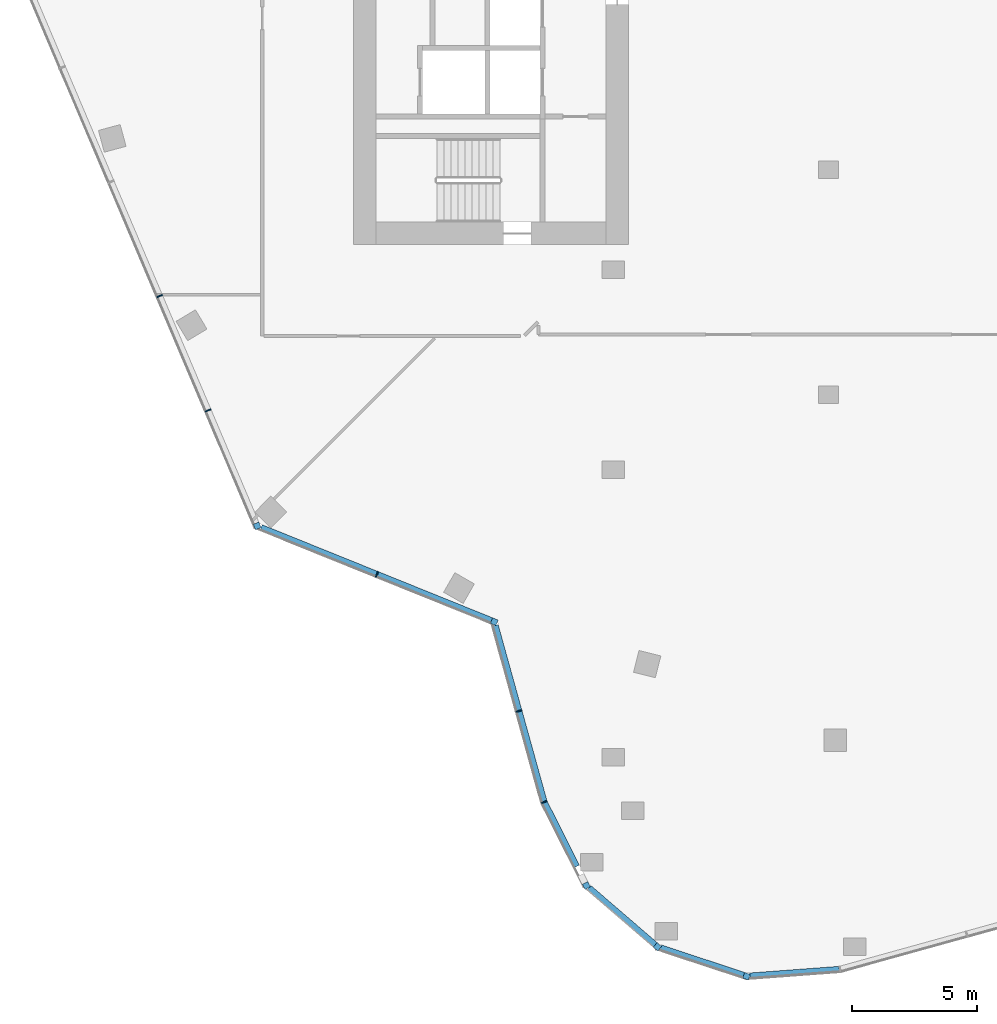
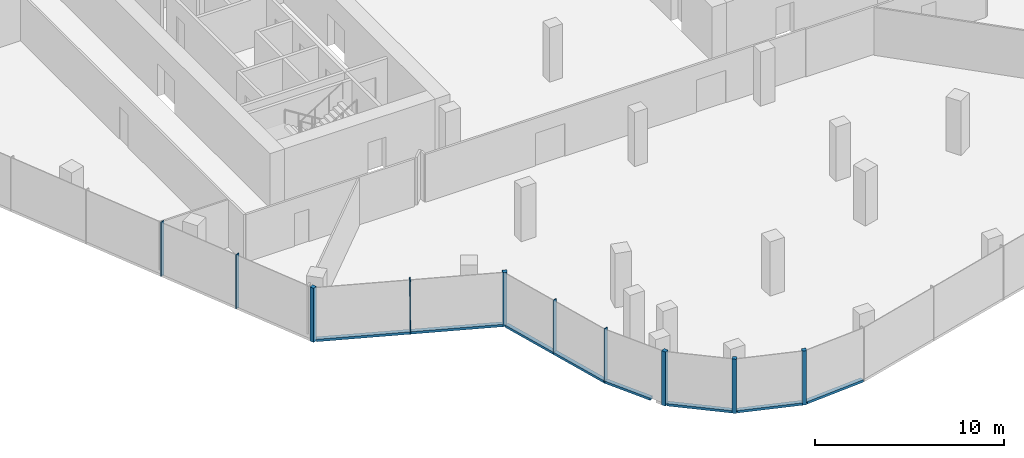
# One storey, part 2 of 15: 16 members, 7 elements without a shape of their own.
"""IFC4 building model written with IfcOpenShell, lengths in metres."""

from ifc_helpers import new_model, si_unit, direction, frame, origin, origin_2d, place, context, subcontext, project, spatial, rectangle, extrude, material, material_profile, profile_set, type_object, element, aggregate, save


model = new_model("IFC4")

# Units and contexts
model_context = context("Model", 3, precision=1e-05, world=origin(), true_north=direction((0.0, 1.0)))
body_context = subcontext(model_context, "Body", "Model", "MODEL_VIEW")
ifc_project = project(units=[si_unit("LENGTHUNIT", "METRE"), si_unit("AREAUNIT", "SQUARE_METRE"), si_unit("VOLUMEUNIT", "CUBIC_METRE"), si_unit("PLANEANGLEUNIT", "RADIAN"), si_unit("MASSUNIT", "GRAM", prefix="KILO")], contexts=[model_context])

# Site, building, storey
site_placement = place(None, origin())
site = spatial("IfcSite", under=ifc_project, at=site_placement, CompositionType="ELEMENT")
building_placement = place(site_placement, origin())
building = spatial("IfcBuilding", under=site, at=building_placement, Name="Orlundy Tower", CompositionType="ELEMENT")
storey_placement = place(building_placement, frame((0.0, 0.0, 278.89990234375)))
storey = spatial("IfcBuildingStorey", under=building, at=storey_placement, Name="L74", CompositionType="ELEMENT", Elevation=278.89990234375)

# Curtain wall, member
ifc_material_1 = material(Name="Aluminium bronze anodised", Category="aluminium")
curtain_wall_type = type_object("IfcCurtainWallType", Name="CW6 wall", PredefinedType="NOTDEFINED", material=ifc_material_1)
curtain_wall_1_placement = place(storey_placement, origin())
curtain_wall_1 = element("IfcCurtainWall", 1, at=curtain_wall_1_placement, inside=storey, type_object=curtain_wall_type, Name="CW6 run 09", PredefinedType="NOTDEFINED")
ifc_material_2 = material(Name="Aluminium bronze anodised", Category="aluminium")
ifc_material_profile_1 = material_profile(ifc_material_2, rectangle(XDim=0.239990234375, YDim=0.239990234375, at=origin_2d()), Name="CW6 corner post 240x240")
ifc_profile_set_1 = profile_set([ifc_material_profile_1], Name="Aluminium bronze anodised")
member_type_1 = type_object("IfcMemberType", Name="CW6 corner post 240x240", PredefinedType="MULLION", material=ifc_profile_set_1)
member_1_placement = place(storey_placement, frame((-3.27392578125, -41.265380859375, -0.39990234375), z_axis=(0.0, 0.0, 1.0), x_axis=(-0.313231470951, -0.949676811134, 0.0)))
member_1 = element("IfcMember", 2, at=member_1_placement, type_object=member_type_1, Name="CW6 mullion 15", PredefinedType="MULLION", context=body_context, shape_type="SweptSolid", body=[
    extrude(rectangle(XDim=0.239990234375, YDim=0.239990234375, at=origin_2d()), origin(), (0.0, 0.0, 1.0), 3.5),
])

curtain_wall_2_placement = place(storey_placement, origin())
curtain_wall_2 = element("IfcCurtainWall", 3, at=curtain_wall_2_placement, inside=storey, type_object=curtain_wall_type, Name="CW6 run 010", PredefinedType="NOTDEFINED")
member_2_placement = place(storey_placement, frame((-6.83935546875, -40.089599609375, -0.39990234375), z_axis=(0.0, 0.0, 1.0), x_axis=(-0.652678052104, -0.757635374241, 0.0)))
member_2 = element("IfcMember", 4, at=member_2_placement, type_object=member_type_1, Name="CW6 mullion 16", PredefinedType="MULLION", context=body_context, shape_type="SweptSolid", body=[
    extrude(rectangle(XDim=0.239990234375, YDim=0.239990234375, at=origin_2d()), origin(), (0.0, 0.0, 1.0), 3.5),
])

curtain_wall_3_placement = place(storey_placement, origin())
curtain_wall_3 = element("IfcCurtainWall", 5, at=curtain_wall_3_placement, inside=storey, type_object=curtain_wall_type, Name="CW6 run 011", PredefinedType="NOTDEFINED")
member_3_placement = place(storey_placement, frame((-9.683349609375, -37.639404296875, -0.39990234375), z_axis=(0.0, 0.0, 1.0), x_axis=(-0.893019858419, -0.450017257968, 0.0)))
member_3 = element("IfcMember", 6, at=member_3_placement, type_object=member_type_1, Name="CW6 mullion 17", PredefinedType="MULLION", context=body_context, shape_type="SweptSolid", body=[
    extrude(rectangle(XDim=0.239990234375, YDim=0.239990234375, at=origin_2d()), origin(), (0.0, 0.0, 1.0), 3.5),
])

curtain_wall_4_placement = place(storey_placement, origin())
curtain_wall_4 = element("IfcCurtainWall", 7, at=curtain_wall_4_placement, inside=storey, type_object=curtain_wall_type, Name="CW6 run 013", PredefinedType="NOTDEFINED")
member_4_placement = place(storey_placement, frame((-13.367919921875, -27.083984375, -0.39990234375), z_axis=(0.0, 0.0, 1.0), x_axis=(-0.374521193474, -0.927218353808, 0.0)))
member_4 = element("IfcMember", 8, at=member_4_placement, type_object=member_type_1, Name="CW6 mullion 20", PredefinedType="MULLION", context=body_context, shape_type="SweptSolid", body=[
    extrude(rectangle(XDim=0.239990234375, YDim=0.239990234375, at=origin_2d()), origin(), (0.0, 0.0, 1.0), 3.5),
])

curtain_wall_5_placement = place(storey_placement, origin())
curtain_wall_5 = element("IfcCurtainWall", 9, at=curtain_wall_5_placement, inside=storey, type_object=curtain_wall_type, Name="CW6 run 014", PredefinedType="NOTDEFINED")
member_5_placement = place(storey_placement, frame((-22.85107421875, -23.253662109375, -0.39990234375), z_axis=(0.0, 0.0, 1.0), x_axis=(-0.920506804854, -0.390726531244, 0.0)))
member_5 = element("IfcMember", 10, at=member_5_placement, type_object=member_type_1, Name="CW6 mullion 22", PredefinedType="MULLION", context=body_context, shape_type="SweptSolid", body=[
    extrude(rectangle(XDim=0.239990234375, YDim=0.239990234375, at=origin_2d()), origin(), (0.0, 0.0, 1.0), 3.5),
])

# Curtain wall, members
curtain_wall_6_placement = place(storey_placement, origin())
curtain_wall_6 = element("IfcCurtainWall", 11, at=curtain_wall_6_placement, inside=storey, type_object=curtain_wall_type, Name="CW6 run 012", PredefinedType="NOTDEFINED")
ifc_material_3 = material(Name="Aluminium bronze anodised", Category="aluminium")
ifc_material_profile_2 = material_profile(ifc_material_3, rectangle(XDim=0.239990234375, YDim=0.050048828125, at=origin_2d()), Name="CW6 mullion 50x240")
ifc_profile_set_2 = profile_set([ifc_material_profile_2], Name="Aluminium bronze anodised")
member_type_2 = type_object("IfcMemberType", Name="CW6 mullion 50x240", PredefinedType="MULLION", material=ifc_profile_set_2)
member_6_placement = place(storey_placement, frame((-11.367431640625, -34.29736328125, -0.39990234375), z_axis=(0.0, 0.0, 1.0), x_axis=(-0.93281502781, -0.360355552047, 0.0)))
member_6 = element("IfcMember", 12, at=member_6_placement, type_object=member_type_2, Name="CW6 mullion 18", PredefinedType="MULLION", context=body_context, shape_type="SweptSolid", body=[
    extrude(rectangle(XDim=0.239990234375, YDim=0.050048828125, at=origin_2d()), origin(), (0.0, 0.0, 1.0), 3.5),
])
member_7_placement = place(storey_placement, frame((-12.377197265625, -30.656494140625, -0.39990234375), z_axis=(0.0, 0.0, 1.0), x_axis=(-0.963633832911, -0.267226188967, 0.0)))
member_7 = element("IfcMember", 13, at=member_7_placement, type_object=member_type_2, Name="CW6 mullion 19", PredefinedType="MULLION", context=body_context, shape_type="SweptSolid", body=[
    extrude(rectangle(XDim=0.239990234375, YDim=0.050048828125, at=origin_2d()), origin(), (0.0, 0.0, 1.0), 3.5),
])

# Member
member_8_placement = place(storey_placement, frame((-18.058837890625, -25.189208984375, -0.39990234375), z_axis=(0.0, 0.0, 1.0), x_axis=(-0.374521193474, -0.927218353808, 0.0)))
member_8 = element("IfcMember", 14, at=member_8_placement, type_object=member_type_2, Name="CW6 mullion 21", PredefinedType="MULLION", context=body_context, shape_type="SweptSolid", body=[
    extrude(rectangle(XDim=0.239990234375, YDim=0.050048828125, at=origin_2d()), origin(), (0.0, 0.0, 1.0), 3.5),
])

member_9_placement = place(storey_placement, frame((-24.812744140625, -18.63232421875, -0.39990234375), z_axis=(0.0, 0.0, 1.0), x_axis=(-0.920506804854, -0.390726531244, 0.0)))
member_9 = element("IfcMember", 15, at=member_9_placement, type_object=member_type_2, Name="CW6 mullion 23", PredefinedType="MULLION", context=body_context, shape_type="SweptSolid", body=[
    extrude(rectangle(XDim=0.239990234375, YDim=0.050048828125, at=origin_2d()), origin(), (0.0, 0.0, 1.0), 3.5),
])

member_10_placement = place(storey_placement, frame((-26.7548828125, -14.056640625, -0.39990234375), z_axis=(0.0, 0.0, 1.0), x_axis=(-0.920506804854, -0.390726531244, 0.0)))
member_10 = element("IfcMember", 16, at=member_10_placement, type_object=member_type_2, Name="CW6 mullion 24", PredefinedType="MULLION", context=body_context, shape_type="SweptSolid", body=[
    extrude(rectangle(XDim=0.239990234375, YDim=0.050048828125, at=origin_2d()), origin(), (0.0, 0.0, 1.0), 3.5),
])

aggregate(curtain_wall_5, [member_5, member_9, member_10])

# Curtain wall, member
curtain_wall_7_placement = place(storey_placement, origin())
curtain_wall_7 = element("IfcCurtainWall", 17, at=curtain_wall_7_placement, inside=storey, type_object=curtain_wall_type, Name="CW6 run 08", PredefinedType="NOTDEFINED")
ifc_material_4 = material(Name="Aluminium bronze anodised", Category="aluminium")
ifc_material_profile_3 = material_profile(ifc_material_4, rectangle(XDim=0.239990234375, YDim=0.159912109375, at=origin_2d()), Name="CW6 transom 240x160")
ifc_profile_set_3 = profile_set([ifc_material_profile_3], Name="Aluminium bronze anodised")
member_type_3 = type_object("IfcMemberType", Name="CW6 transom 240x160", PredefinedType="USERDEFINED", material=ifc_profile_set_3)
member_11_placement = place(storey_placement, frame((0.43359375, -40.98974609375, -0.31982421875), z_axis=(-0.99724542867, -0.074172467912, 0.0), x_axis=(0.074172467912, -0.99724542867, 0.0)))
member_11 = element("IfcMember", 18, at=member_11_placement, type_object=member_type_3, Name="CW6 transom", ObjectType="TRANSOM", PredefinedType="USERDEFINED", context=body_context, shape_type="SweptSolid", body=[
    extrude(rectangle(XDim=0.239990234375, YDim=0.159912109375, at=origin_2d()), origin(), (0.0, 0.0, 1.0), 3.587646484375),
])
aggregate(curtain_wall_7, [member_11])

# Member
member_12_placement = place(storey_placement, frame((-3.387939453125, -41.227783203125, -0.31982421875), z_axis=(-0.949674874064, 0.313237343833, 0.0), x_axis=(-0.313237343833, -0.949674874064, 0.0)))
member_12 = element("IfcMember", 19, at=member_12_placement, type_object=member_type_3, Name="CW6 transom", ObjectType="TRANSOM", PredefinedType="USERDEFINED", context=body_context, shape_type="SweptSolid", body=[
    extrude(rectangle(XDim=0.239990234375, YDim=0.159912109375, at=origin_2d()), origin(), (0.0, 0.0, 1.0), 3.504150390625),
])

aggregate(curtain_wall_1, [member_1, member_12])

member_13_placement = place(storey_placement, frame((-6.93017578125, -40.01123046875, -0.31982421875), z_axis=(-0.757621411438, 0.652694259918, 0.0), x_axis=(-0.652694259918, -0.757621411438, 0.0)))
member_13 = element("IfcMember", 20, at=member_13_placement, type_object=member_type_3, Name="CW6 transom", ObjectType="TRANSOM", PredefinedType="USERDEFINED", context=body_context, shape_type="SweptSolid", body=[
    extrude(rectangle(XDim=0.239990234375, YDim=0.159912109375, at=origin_2d()), origin(), (0.0, 0.0, 1.0), 3.504150390625),
])

aggregate(curtain_wall_2, [member_2, member_13])

member_14_placement = place(storey_placement, frame((-10.068115234375, -36.876220703125, -0.31982421875), z_axis=(-0.449974763399, 0.893041271333, 0.0), x_axis=(-0.893041271333, -0.449974763399, 0.0)))
member_14 = element("IfcMember", 21, at=member_14_placement, type_object=member_type_3, Name="CW6 transom", ObjectType="TRANSOM", PredefinedType="USERDEFINED", context=body_context, shape_type="SweptSolid", body=[
    extrude(rectangle(XDim=0.239990234375, YDim=0.159912109375, at=origin_2d()), origin(), (0.0, 0.0, 1.0), 2.862548828125),
])

aggregate(curtain_wall_3, [member_3, member_14])

member_15_placement = place(storey_placement, frame((-11.374267578125, -34.273193359375, -0.31982421875), z_axis=(-0.267213156818, 0.963637446773, 0.0), x_axis=(-0.963637446773, -0.267213156818, 0.0)))
member_15 = element("IfcMember", 22, at=member_15_placement, type_object=member_type_3, Name="CW6 transom", ObjectType="TRANSOM", PredefinedType="USERDEFINED", context=body_context, shape_type="SweptSolid", body=[
    extrude(rectangle(XDim=0.239990234375, YDim=0.159912109375, at=origin_2d()), origin(), (0.0, 0.0, 1.0), 7.309326171875),
])

aggregate(curtain_wall_6, [member_6, member_7, member_15])

member_16_placement = place(storey_placement, frame((-13.47900390625, -27.0390625, -0.31982421875), z_axis=(-0.927219362219, 0.374518696898, 0.0), x_axis=(-0.374518696898, -0.927219362219, 0.0)))
member_16 = element("IfcMember", 23, at=member_16_placement, type_object=member_type_3, Name="CW6 transom", ObjectType="TRANSOM", PredefinedType="USERDEFINED", context=body_context, shape_type="SweptSolid", body=[
    extrude(rectangle(XDim=0.239990234375, YDim=0.159912109375, at=origin_2d()), origin(), (0.0, 0.0, 1.0), 9.93798828125),
])

aggregate(curtain_wall_4, [member_4, member_8, member_16])

save(model, "model.ifc")
